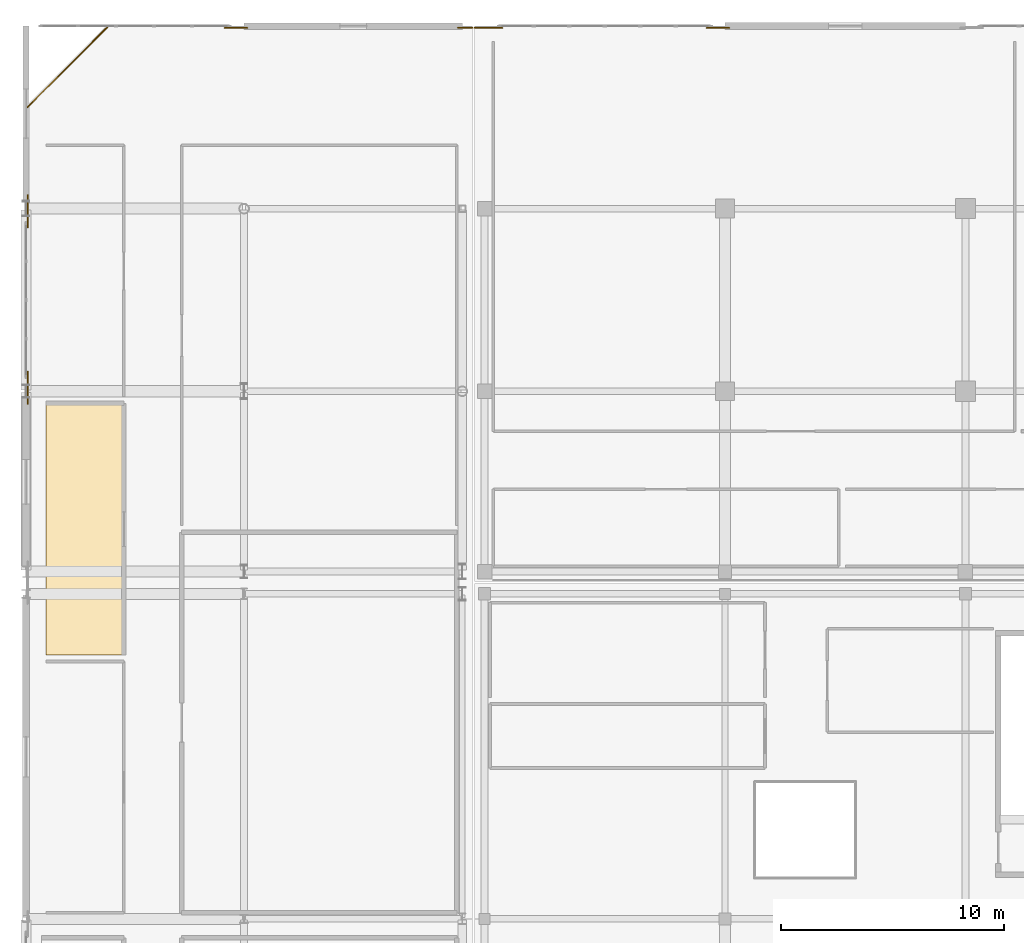
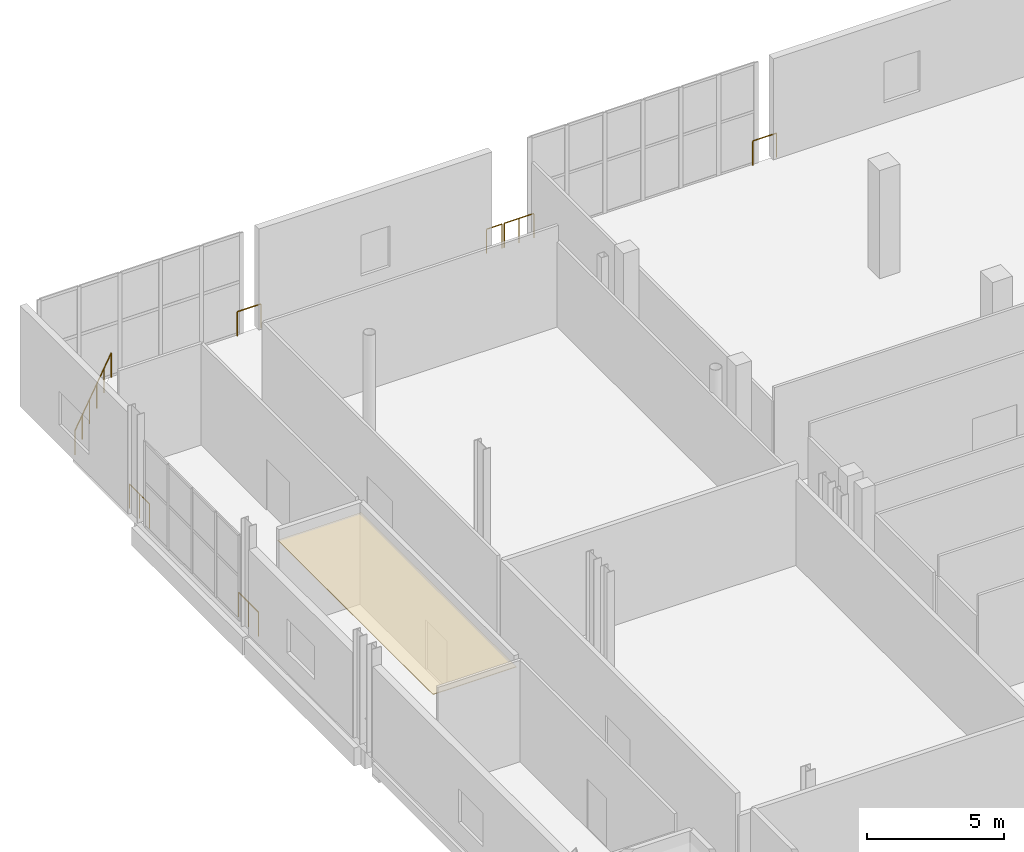
# One storey, part 124 of 129: 7 railings, 1 covering.
"""IFC4 building model written with IfcOpenShell, lengths in metres."""

from ifc_helpers import new_model, si_unit, direction, frame, origin, origin_2d, place, context, subcontext, project, spatial, polyline, circle, outline, extrude, material, layer, layer_set, type_object, element, save


model = new_model("IFC4")

# Units and contexts
model_context = context("Model", 3, precision=1e-05, world=origin(), true_north=direction((0.0, 1.0)))
body_context = subcontext(model_context, "Body", "Model", "MODEL_VIEW")
ifc_project = project(units=[si_unit("LENGTHUNIT", "METRE"), si_unit("AREAUNIT", "SQUARE_METRE"), si_unit("VOLUMEUNIT", "CUBIC_METRE"), si_unit("PLANEANGLEUNIT", "RADIAN"), si_unit("MASSUNIT", "GRAM", prefix="KILO")], contexts=[model_context])

# Site, building, storey
site_placement = place(None, origin())
site = spatial("IfcSite", under=ifc_project, at=site_placement, CompositionType="ELEMENT")
building_placement = place(site_placement, origin())
building = spatial("IfcBuilding", under=site, at=building_placement, Name="Koshinbarg Plaza Stadium", CompositionType="ELEMENT")
storey_placement = place(building_placement, frame((0.0, 0.0, 5.39990234375)))
storey = spatial("IfcBuildingStorey", under=building, at=storey_placement, Name="L01", CompositionType="ELEMENT", Elevation=5.39990234375)

# Covering
ifc_material_1 = material(Name="Perforated gypsum acoustic ceiling board")
ifc_layer = layer(ifc_material_1, 0.030029296875)
ifc_layer_set = layer_set([ifc_layer], Name="Perforated gypsum acoustic ceiling board")
covering_type = type_object("IfcCoveringType", Name="COV-CEIL-01", PredefinedType="CEILING", material=ifc_layer_set)
covering_placement = place(storey_placement, frame((0.0, 0.0, 3.9501953125)))
element("IfcCovering", 1, at=covering_placement, inside=storey, type_object=covering_type, Name="L01 Ticketing Operations Room acoustic ceiling 017", PredefinedType="CEILING", context=body_context, shape_type="SweptSolid", body=[
    extrude(outline(polyline([(4.89990234375, 123.76318359375), (8.39990234375, 123.76318359375), (8.39990234375, 135.056640625), (4.89990234375, 135.056640625), (4.89990234375, 123.76318359375)])), origin(), (0.0, 0.0, 1.0), 0.02978515625),
])

# Railings
ifc_material_2 = material(Name="Toughened laminated glass and stainless steel sightline balustrade", Category="steel")
railing_type = type_object("IfcRailingType", Name="RL-BOWL-1100", PredefinedType="BALUSTRADE", material=ifc_material_2)
railing_1_placement = place(storey_placement, frame((24.14501953125, 151.919921875, 0.0)))
element("IfcRailing", 2, at=railing_1_placement, inside=storey, type_object=railing_type, Name="L01 deck edge safety balustrade 0034", PredefinedType="BALUSTRADE", context=body_context, shape_type="SweptSolid", body=[
    extrude(circle(Radius=0.02392578125, at=origin_2d()), frame((0.0, 0.0, 1.076171875), z_axis=(1.0, 0.0, 0.0), x_axis=(0.0, 1.0, 0.0)), (0.0, 0.0, 1.0), 1.2490234375),
    extrude(circle(Radius=0.02099609375, at=origin_2d()), origin(), (0.0, 0.0, 1.0), 1.052001953125),
    extrude(circle(Radius=0.02099609375, at=origin_2d()), frame((0.62451171875, 0.0, 0.0)), (0.0, 0.0, 1.0), 1.052001953125),
    extrude(circle(Radius=0.02099609375, at=origin_2d()), frame((1.2490234375, 0.0, 0.0)), (0.0, 0.0, 1.0), 1.052001953125),
])
railing_2_placement = place(storey_placement, frame((34.585205078125, 151.919921875, 0.0)))
element("IfcRailing", 3, at=railing_2_placement, inside=storey, type_object=railing_type, Name="L01 deck edge safety balustrade 0035", PredefinedType="BALUSTRADE", context=body_context, shape_type="SweptSolid", body=[
    extrude(circle(Radius=0.02392578125, at=origin_2d()), frame((0.0, 0.0, 1.076171875), z_axis=(1.0, 0.0, 0.0), x_axis=(0.0, 1.0, 0.0)), (0.0, 0.0, 1.0), 0.999267578125),
    extrude(circle(Radius=0.02099609375, at=origin_2d()), origin(), (0.0, 0.0, 1.0), 1.052001953125),
    extrude(circle(Radius=0.02099609375, at=origin_2d()), frame((0.999267578125, 0.0, 0.0)), (0.0, 0.0, 1.0), 1.052001953125),
])
railing_3_placement = place(storey_placement, frame((4.080078125, 135.0361328125, 0.0)))
element("IfcRailing", 4, at=railing_3_placement, inside=storey, type_object=railing_type, Name="L01 deck edge safety balustrade 0096", PredefinedType="BALUSTRADE", context=body_context, shape_type="SweptSolid", body=[
    extrude(circle(Radius=0.02392578125, at=origin_2d()), frame((0.0, 0.0, 1.076171875), z_axis=(0.0, 1.0, 0.0), x_axis=(-1.0, 0.0, 0.0)), (0.0, 0.0, 1.0), 1.447021484375),
    extrude(circle(Radius=0.02099609375, at=origin_2d()), origin(), (0.0, 0.0, 1.0), 1.052001953125),
    extrude(circle(Radius=0.02099609375, at=origin_2d()), frame((0.0, 0.7236328125, 0.0)), (0.0, 0.0, 1.0), 1.052001953125),
    extrude(circle(Radius=0.02099609375, at=origin_2d()), frame((0.0, 1.447021484375, 0.0)), (0.0, 0.0, 1.0), 1.052001953125),
])
railing_4_placement = place(storey_placement, frame((4.080078125, 142.96435546875, 0.0)))
element("IfcRailing", 5, at=railing_4_placement, inside=storey, type_object=railing_type, Name="L01 deck edge safety balustrade 0097", PredefinedType="BALUSTRADE", context=body_context, shape_type="SweptSolid", body=[
    extrude(circle(Radius=0.02392578125, at=origin_2d()), frame((0.0, 0.0, 1.076171875), z_axis=(0.0, 1.0, 0.0), x_axis=(-1.0, 0.0, 0.0)), (0.0, 0.0, 1.0), 1.447265625),
    extrude(circle(Radius=0.02099609375, at=origin_2d()), origin(), (0.0, 0.0, 1.0), 1.052001953125),
    extrude(circle(Radius=0.02099609375, at=origin_2d()), frame((0.0, 0.7236328125, 0.0)), (0.0, 0.0, 1.0), 1.052001953125),
    extrude(circle(Radius=0.02099609375, at=origin_2d()), frame((0.0, 1.447265625, 0.0)), (0.0, 0.0, 1.0), 1.052001953125),
])
railing_5_placement = place(storey_placement, frame((4.056640625, 148.343505859375, 0.0)))
element("IfcRailing", 6, at=railing_5_placement, inside=storey, type_object=railing_type, Name="L01 deck edge safety balustrade 0098", PredefinedType="BALUSTRADE", context=body_context, shape_type="SweptSolid", body=[
    extrude(circle(Radius=0.02392578125, at=origin_2d()), frame((0.0, 0.0, 1.076171875), z_axis=(0.707106781187, 0.707106781187, 0.0), x_axis=(-0.707106781187, 0.707106781187, 0.0)), (0.0, 0.0, 1.0), 5.091064453125),
    extrude(circle(Radius=0.02099609375, at=origin_2d()), origin(), (0.0, 0.0, 1.0), 1.052001953125),
    extrude(circle(Radius=0.02099609375, at=origin_2d()), frame((0.719970703125, 0.719970703125, 0.0)), (0.0, 0.0, 1.0), 1.052001953125),
    extrude(circle(Radius=0.02099609375, at=origin_2d()), frame((1.43994140625, 1.43994140625, 0.0)), (0.0, 0.0, 1.0), 1.052001953125),
    extrude(circle(Radius=0.02099609375, at=origin_2d()), frame((2.159912109375, 2.159912109375, 0.0)), (0.0, 0.0, 1.0), 1.052001953125),
    extrude(circle(Radius=0.02099609375, at=origin_2d()), frame((2.8798828125, 2.8798828125, 0.0)), (0.0, 0.0, 1.0), 1.052001953125),
    extrude(circle(Radius=0.02099609375, at=origin_2d()), frame((3.599853515625, 3.599853515625, 0.0)), (0.0, 0.0, 1.0), 1.052001953125),
])
railing_6_placement = place(storey_placement, frame((12.934814453125, 151.919921875, 0.0)))
element("IfcRailing", 7, at=railing_6_placement, inside=storey, type_object=railing_type, Name="L01 deck edge safety balustrade 0099", PredefinedType="BALUSTRADE", context=body_context, shape_type="SweptSolid", body=[
    extrude(circle(Radius=0.02392578125, at=origin_2d()), frame((0.0, 0.0, 1.076171875), z_axis=(1.0, 0.0, 0.0), x_axis=(0.0, 1.0, 0.0)), (0.0, 0.0, 1.0), 0.998291015625),
    extrude(circle(Radius=0.02099609375, at=origin_2d()), origin(), (0.0, 0.0, 1.0), 1.052001953125),
    extrude(circle(Radius=0.02099609375, at=origin_2d()), frame((0.998291015625, 0.0, 0.0)), (0.0, 0.0, 1.0), 1.052001953125),
])
railing_7_placement = place(storey_placement, frame((23.40625, 151.919921875, 0.0)))
element("IfcRailing", 8, at=railing_7_placement, inside=storey, type_object=railing_type, Name="L01 deck edge safety balustrade 0100", PredefinedType="BALUSTRADE", context=body_context, shape_type="SweptSolid", body=[
    extrude(circle(Radius=0.02392578125, at=origin_2d()), frame((0.0, 0.0, 1.076171875), z_axis=(1.0, 0.0, 0.0), x_axis=(0.0, 1.0, 0.0)), (0.0, 0.0, 1.0), 0.648681640625),
    extrude(circle(Radius=0.02099609375, at=origin_2d()), origin(), (0.0, 0.0, 1.0), 1.052001953125),
    extrude(circle(Radius=0.02099609375, at=origin_2d()), frame((0.648681640625, 0.0, 0.0)), (0.0, 0.0, 1.0), 1.052001953125),
])

save(model, "model.ifc")
